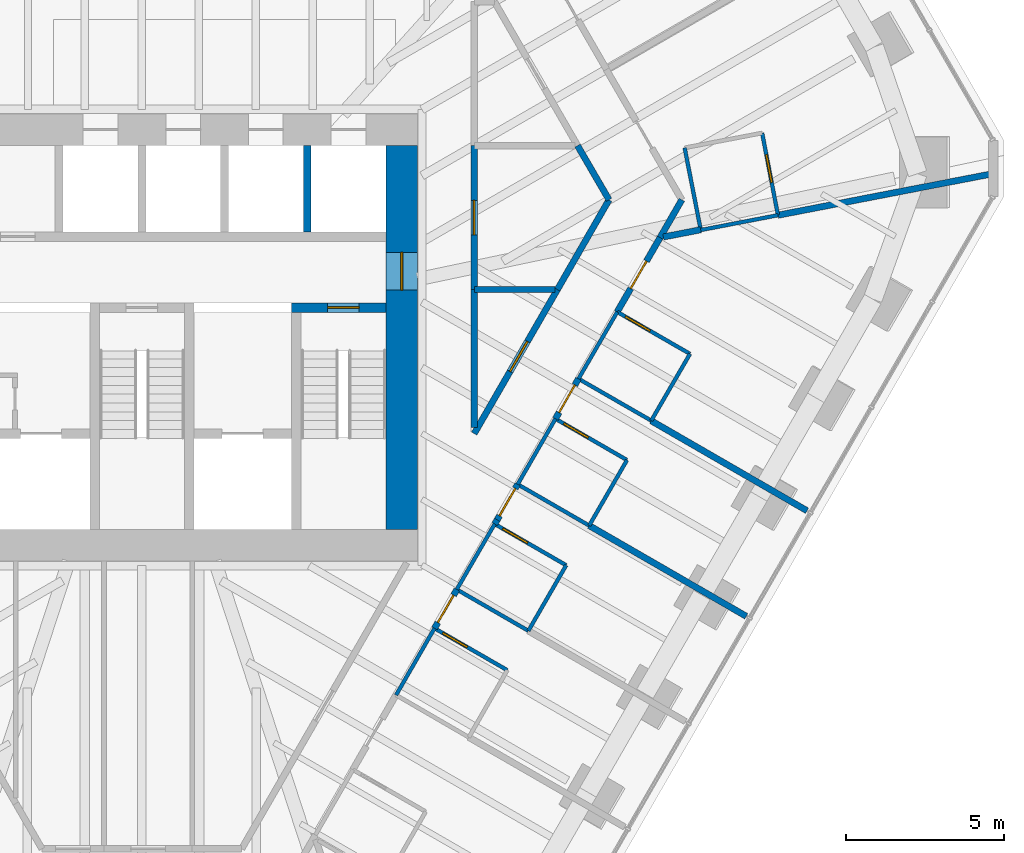
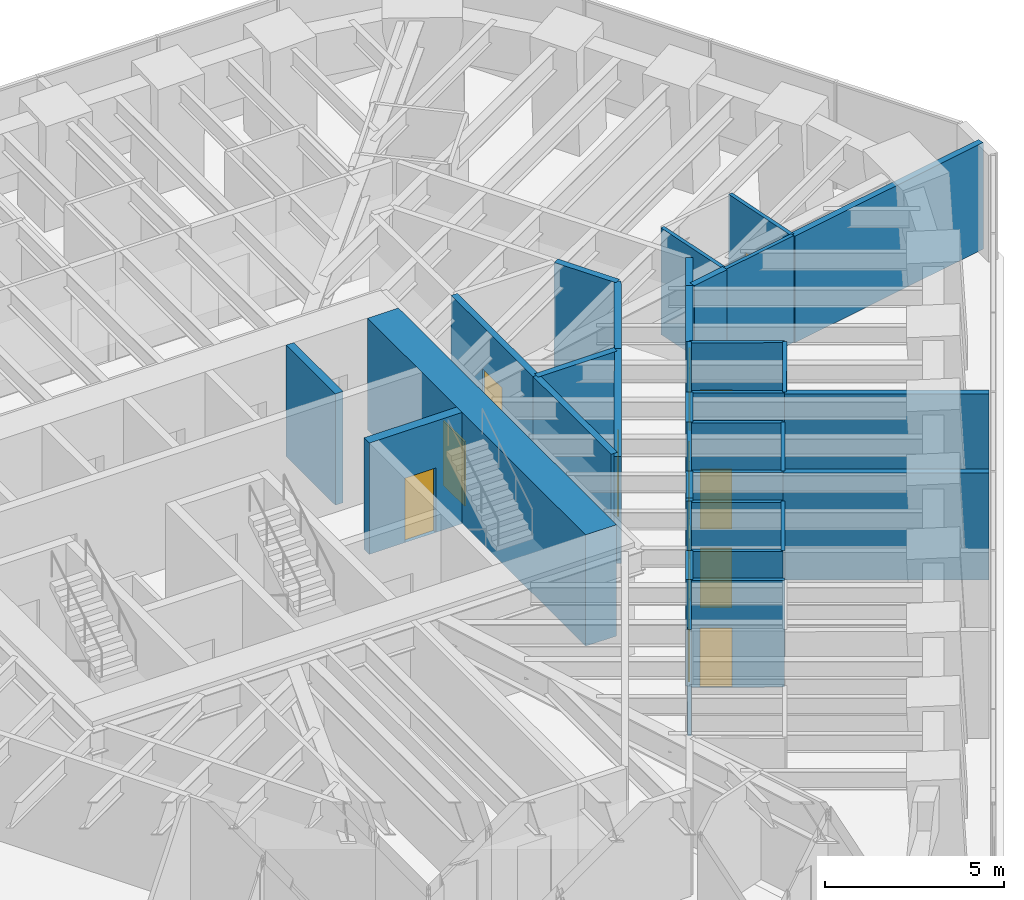
# One storey, part 13 of 17: 36 walls, 13 doors, 13 openings.
"""IFC4 building model written with IfcOpenShell, lengths in metres."""

from ifc_helpers import new_model, si_unit, direction, frame, frame_2d, origin, place, context, subcontext, project, spatial, rectangle, extrude, material, layer, layer_set, type_object, element, fill, save


model = new_model("IFC4")

# Units and contexts
model_context = context("Model", 3, precision=1e-05, world=origin(), true_north=direction((0.0, 1.0)))
body_context = subcontext(model_context, "Body", "Model", "MODEL_VIEW")
ifc_project = project(units=[si_unit("LENGTHUNIT", "METRE"), si_unit("AREAUNIT", "SQUARE_METRE"), si_unit("VOLUMEUNIT", "CUBIC_METRE"), si_unit("PLANEANGLEUNIT", "RADIAN"), si_unit("MASSUNIT", "GRAM", prefix="KILO")], contexts=[model_context])

# Site, building, storey
site_placement = place(None, origin())
site = spatial("IfcSite", under=ifc_project, at=site_placement, CompositionType="ELEMENT")
building_placement = place(site_placement, origin())
building = spatial("IfcBuilding", under=site, at=building_placement, Name="Sandreach Pilgrim Tower", CompositionType="ELEMENT")
storey_placement = place(building_placement, frame((0.0, 0.0, 236.39990234375)))
storey = spatial("IfcBuildingStorey", under=building, at=storey_placement, Name="L59", CompositionType="ELEMENT", Elevation=236.39990234375)

# Walls
ifc_material_1 = material(Name="Moisture-resistant gypsum board on steel studs", Category="steel")
ifc_layer_1 = layer(ifc_material_1, 0.1201171875)
ifc_layer_set_1 = layer_set([ifc_layer_1], Name="Bathroom partition 120")
wall_type_1 = type_object("IfcWallType", Name="Bathroom partition 120", PredefinedType="PARTITIONING", material=ifc_layer_set_1)
wall_1_placement = place(storey_placement, frame((8.070068359375, -11.35009765625, 0.0), z_axis=(0.0, 0.0, 1.0), x_axis=(0.498748634132, 0.866746675766, 0.0)))
element("IfcWall", 1, at=wall_1_placement, inside=storey, type_object=wall_type_1, Name="Bathroom partition L59-101", PredefinedType="PARTITIONING", context=body_context, shape_type="SweptSolid", body=[
    extrude(rectangle(XDim=2.446044921875, YDim=0.1201171875, at=frame_2d((1.22314453125, 0.0))), origin(), (0.0, 0.0, 1.0), 3.64013671875),
])
wall_2_placement = place(storey_placement, frame((9.996337890625, -7.998046875, 0.0), z_axis=(0.0, 0.0, 1.0), x_axis=(0.501188543314, 0.865338109672, 0.0)))
element("IfcWall", 2, at=wall_2_placement, inside=storey, type_object=wall_type_1, Name="Bathroom partition L59-108", PredefinedType="PARTITIONING", context=body_context, shape_type="SweptSolid", body=[
    extrude(rectangle(XDim=2.401611328125, YDim=0.1201171875, at=frame_2d((1.20068359375, 0.0))), origin(), (0.0, 0.0, 1.0), 3.64013671875),
])
wall_3_placement = place(storey_placement, frame((10.0, -8.0, 0.0), z_axis=(0.0, 0.0, 1.0), x_axis=(0.866010296064, -0.500026166427, 0.0)))
element("IfcWall", 3, at=wall_3_placement, inside=storey, type_object=wall_type_1, Name="Bathroom partition L59-109", PredefinedType="PARTITIONING", context=body_context, shape_type="SweptSolid", body=[
    extrude(rectangle(XDim=2.620849609375, YDim=0.1201171875, at=frame_2d((1.310546875, 0.0))), origin(), (0.0, 0.0, 1.0), 3.64013671875),
])

# Wall, opening, door
wall_4_placement = place(storey_placement, frame((11.60009765625, -10.56005859375, 0.0), z_axis=(0.0, 0.0, 1.0), x_axis=(-0.866615255992, 0.498976951453, 0.0)))
wall_4 = element("IfcWall", 4, at=wall_4_placement, inside=storey, type_object=wall_type_1, Name="Bathroom partition L59-125", PredefinedType="PARTITIONING", context=body_context, shape_type="SweptSolid", body=[
    extrude(rectangle(XDim=2.66552734375, YDim=0.1201171875, at=frame_2d((1.332763671875, 0.0))), origin(), (0.0, 0.0, 1.0), 3.64013671875),
])
opening_1_placement = place(wall_4_placement, frame((1.465576171875, 0.0, 0.0)))
opening_1 = element("IfcOpeningElement", 5, at=opening_1_placement, cuts=wall_4, Name="Opening D09-11B", PredefinedType="OPENING", context=body_context, shape_type="SweptSolid", body=[
    extrude(rectangle(XDim=0.89990234375, YDim=2.030029296875, at=frame_2d((0.449951171875, 1.01513671875))), frame((0.0, 0.06005859375, 0.0), z_axis=(0.0, -1.0, 0.0), x_axis=(1.0, 0.0, 0.0)), (0.0, 0.0, 1.0), 0.1201171875),
])
ifc_material_2 = material(Name="Timber door, steel frame", Category="steel")
door_type_1 = type_object("IfcDoorType", Name="Bathroom door", OperationType="SINGLE_SWING_LEFT", PredefinedType="DOOR", material=ifc_material_2)
door_1_placement = place(opening_1_placement, origin())
door_1 = element("IfcDoor", 6, at=door_1_placement, inside=storey, type_object=door_type_1, Name="Door 5911B", OperationType="SINGLE_SWING_RIGHT", OverallHeight=2.030029296875, OverallWidth=0.89990234375, PredefinedType="DOOR", context=body_context, shape_type="SweptSolid", body=[
    extrude(rectangle(XDim=0.89990234375, YDim=2.030029296875, at=frame_2d((0.449951171875, 1.01513671875))), frame((0.0, 0.02490234375, 0.0), z_axis=(0.0, -1.0, 0.0), x_axis=(1.0, 0.0, 0.0)), (0.0, 0.0, 1.0), 0.050048828125),
])
fill(opening_1, door_1)

# Walls
wall_5_placement = place(storey_placement, frame((11.929931640625, -4.659912109375, 0.0), z_axis=(0.0, 0.0, 1.0), x_axis=(0.499737123639, 0.866177122335, 0.0)))
element("IfcWall", 7, at=wall_5_placement, inside=storey, type_object=wall_type_1, Name="Bathroom partition L59-128", PredefinedType="PARTITIONING", context=body_context, shape_type="SweptSolid", body=[
    extrude(rectangle(XDim=2.401123046875, YDim=0.1201171875, at=frame_2d((1.20068359375, 0.0))), origin(), (0.0, 0.0, 1.0), 3.64013671875),
])
wall_6_placement = place(storey_placement, frame((11.929931640625, -4.659912109375, 0.0), z_axis=(0.0, 0.0, 1.0), x_axis=(0.865969958829, -0.500096021185, 0.0)))
element("IfcWall", 8, at=wall_6_placement, inside=storey, type_object=wall_type_1, Name="Bathroom partition L59-129", PredefinedType="PARTITIONING", context=body_context, shape_type="SweptSolid", body=[
    extrude(rectangle(XDim=2.62109375, YDim=0.1201171875, at=frame_2d((1.310546875, 0.0))), origin(), (0.0, 0.0, 1.0), 3.64013671875),
])
wall_7_placement = place(storey_placement, frame((12.27001953125, -9.31005859375, 0.0), z_axis=(0.0, 0.0, 1.0), x_axis=(0.499693115345, 0.866202511239, 0.0)))
element("IfcWall", 9, at=wall_7_placement, inside=storey, type_object=wall_type_1, Name="Bathroom partition L59-131", PredefinedType="PARTITIONING", context=body_context, shape_type="SweptSolid", body=[
    extrude(rectangle(XDim=2.4013671875, YDim=0.1201171875, at=frame_2d((1.20068359375, 0.0))), origin(), (0.0, 0.0, 1.0), 3.64013671875),
])

# Wall, opening, door
wall_8_placement = place(storey_placement, frame((13.469970703125, -7.22998046875, 0.0), z_axis=(0.0, 0.0, 1.0), x_axis=(-0.866114241029, 0.499846097802, 0.0)))
wall_8 = element("IfcWall", 10, at=wall_8_placement, inside=storey, type_object=wall_type_1, Name="Bathroom partition L59-136", PredefinedType="PARTITIONING", context=body_context, shape_type="SweptSolid", body=[
    extrude(rectangle(XDim=2.620849609375, YDim=0.1201171875, at=frame_2d((1.310546875, 0.0))), origin(), (0.0, 0.0, 1.0), 3.64013671875),
])
opening_2_placement = place(wall_8_placement, frame((1.4208984375, 0.0, 0.0)))
opening_2 = element("IfcOpeningElement", 11, at=opening_2_placement, cuts=wall_8, Name="Opening D09-10B", PredefinedType="OPENING", context=body_context, shape_type="SweptSolid", body=[
    extrude(rectangle(XDim=0.89990234375, YDim=2.030029296875, at=frame_2d((0.449951171875, 1.01513671875))), frame((0.0, 0.06005859375, 0.0), z_axis=(0.0, -1.0, 0.0), x_axis=(1.0, 0.0, 0.0)), (0.0, 0.0, 1.0), 0.1201171875),
])
door_2_placement = place(opening_2_placement, origin())
door_2 = element("IfcDoor", 12, at=door_2_placement, inside=storey, type_object=door_type_1, Name="Door 5910B", OperationType="SINGLE_SWING_RIGHT", OverallHeight=2.030029296875, OverallWidth=0.89990234375, PredefinedType="DOOR", context=body_context, shape_type="SweptSolid", body=[
    extrude(rectangle(XDim=0.89990234375, YDim=2.030029296875, at=frame_2d((0.449951171875, 1.01513671875))), frame((0.0, 0.02490234375, 0.0), z_axis=(0.0, -1.0, 0.0), x_axis=(1.0, 0.0, 0.0)), (0.0, 0.0, 1.0), 0.050048828125),
])
fill(opening_2, door_2)

# Walls
wall_9_placement = place(storey_placement, frame((13.860107421875, -1.31005859375, 0.0), z_axis=(0.0, 0.0, 1.0), x_axis=(0.501813488763, 0.864975850817, 0.0)))
element("IfcWall", 13, at=wall_9_placement, inside=storey, type_object=wall_type_1, Name="Bathroom partition L59-140", PredefinedType="PARTITIONING", context=body_context, shape_type="SweptSolid", body=[
    extrude(rectangle(XDim=2.451171875, YDim=0.1201171875, at=frame_2d((1.2255859375, 0.0))), origin(), (0.0, 0.0, 1.0), 3.64013671875),
])
wall_10_placement = place(storey_placement, frame((14.199951171875, -5.969970703125, 0.0), z_axis=(0.0, 0.0, 1.0), x_axis=(0.499737123639, 0.866177122335, 0.0)))
element("IfcWall", 14, at=wall_10_placement, inside=storey, type_object=wall_type_1, Name="Bathroom partition L59-142", PredefinedType="PARTITIONING", context=body_context, shape_type="SweptSolid", body=[
    extrude(rectangle(XDim=2.401123046875, YDim=0.1201171875, at=frame_2d((1.20068359375, 0.0))), origin(), (0.0, 0.0, 1.0), 3.64013671875),
])

# Wall, opening, door
wall_11_placement = place(storey_placement, frame((15.39990234375, -3.889892578125, 0.0), z_axis=(0.0, 0.0, 1.0), x_axis=(-0.866154567199, 0.49977621564, 0.0)))
wall_11 = element("IfcWall", 15, at=wall_11_placement, inside=storey, type_object=wall_type_1, Name="Bathroom partition L59-146", PredefinedType="PARTITIONING", context=body_context, shape_type="SweptSolid", body=[
    extrude(rectangle(XDim=2.620849609375, YDim=0.1201171875, at=frame_2d((1.310546875, 0.0))), origin(), (0.0, 0.0, 1.0), 3.64013671875),
])
opening_3_placement = place(wall_11_placement, frame((1.4208984375, 0.0, 0.0)))
opening_3 = element("IfcOpeningElement", 16, at=opening_3_placement, cuts=wall_11, Name="Opening D09-09B", PredefinedType="OPENING", context=body_context, shape_type="SweptSolid", body=[
    extrude(rectangle(XDim=0.89990234375, YDim=2.030029296875, at=frame_2d((0.449951171875, 1.01513671875))), frame((0.0, 0.06005859375, 0.0), z_axis=(0.0, -1.0, 0.0), x_axis=(1.0, 0.0, 0.0)), (0.0, 0.0, 1.0), 0.1201171875),
])
door_3_placement = place(opening_3_placement, origin())
door_3 = element("IfcDoor", 17, at=door_3_placement, inside=storey, type_object=door_type_1, Name="Door 5909B", OperationType="SINGLE_SWING_RIGHT", OverallHeight=2.030029296875, OverallWidth=0.89990234375, PredefinedType="DOOR", context=body_context, shape_type="SweptSolid", body=[
    extrude(rectangle(XDim=0.89990234375, YDim=2.030029296875, at=frame_2d((0.449951171875, 1.01513671875))), frame((0.0, 0.02490234375, 0.0), z_axis=(0.0, -1.0, 0.0), x_axis=(1.0, 0.0, 0.0)), (0.0, 0.0, 1.0), 0.050048828125),
])
fill(opening_3, door_3)

# Walls
wall_12_placement = place(storey_placement, frame((16.169921875, -2.639892578125, 0.0), z_axis=(0.0, 0.0, 1.0), x_axis=(-0.86663205897, 0.498947767172, 0.0)))
element("IfcWall", 18, at=wall_12_placement, inside=storey, type_object=wall_type_1, Name="Bathroom partition L59-148", PredefinedType="PARTITIONING", context=body_context, shape_type="SweptSolid", body=[
    extrude(rectangle(XDim=2.665283203125, YDim=0.1201171875, at=frame_2d((1.33251953125, 0.0))), origin(), (0.0, 0.0, 1.0), 3.64013671875),
])
wall_13_placement = place(storey_placement, frame((16.169921875, -2.639892578125, 0.0), z_axis=(0.0, 0.0, 1.0), x_axis=(0.501856726365, 0.86495076519, 0.0)))
element("IfcWall", 19, at=wall_13_placement, inside=storey, type_object=wall_type_1, Name="Bathroom partition L59-149", PredefinedType="PARTITIONING", context=body_context, shape_type="SweptSolid", body=[
    extrude(rectangle(XDim=2.450927734375, YDim=0.1201171875, at=frame_2d((1.2255859375, 0.0))), origin(), (0.0, 0.0, 1.0), 3.64013671875),
])
wall_14_placement = place(storey_placement, frame((17.22998046875, 6.02001953125, 0.0), z_axis=(0.0, 0.0, 1.0), x_axis=(0.192499717639, -0.981297028788, 0.0)))
element("IfcWall", 20, at=wall_14_placement, inside=storey, type_object=wall_type_1, Name="Bathroom partition L59-153", PredefinedType="PARTITIONING", context=body_context, shape_type="SweptSolid", body=[
    extrude(rectangle(XDim=2.6494140625, YDim=0.1201171875, at=frame_2d((1.32470703125, 0.0))), origin(), (0.0, 0.0, 1.0), 3.64013671875),
])

# Wall, opening, door
wall_15_placement = place(storey_placement, frame((17.39990234375, -0.52001953125, 0.0), z_axis=(0.0, 0.0, 1.0), x_axis=(-0.866592449628, 0.499016559092, 0.0)))
wall_15 = element("IfcWall", 21, at=wall_15_placement, inside=storey, type_object=wall_type_1, Name="Bathroom partition L59-154", PredefinedType="PARTITIONING", context=body_context, shape_type="SweptSolid", body=[
    extrude(rectangle(XDim=2.665283203125, YDim=0.1201171875, at=frame_2d((1.33251953125, 0.0))), origin(), (0.0, 0.0, 1.0), 3.64013671875),
])
opening_4_placement = place(wall_15_placement, frame((1.465576171875, 0.0, 0.0)))
opening_4 = element("IfcOpeningElement", 22, at=opening_4_placement, cuts=wall_15, Name="Opening D09-08B", PredefinedType="OPENING", context=body_context, shape_type="SweptSolid", body=[
    extrude(rectangle(XDim=0.89990234375, YDim=2.030029296875, at=frame_2d((0.449951171875, 1.01513671875))), frame((0.0, 0.06005859375, 0.0), z_axis=(0.0, -1.0, 0.0), x_axis=(1.0, 0.0, 0.0)), (0.0, 0.0, 1.0), 0.1201171875),
])
door_4_placement = place(opening_4_placement, origin())
door_4 = element("IfcDoor", 23, at=door_4_placement, inside=storey, type_object=door_type_1, Name="Door 5908B", OperationType="SINGLE_SWING_RIGHT", OverallHeight=2.030029296875, OverallWidth=0.89990234375, PredefinedType="DOOR", context=body_context, shape_type="SweptSolid", body=[
    extrude(rectangle(XDim=0.89990234375, YDim=2.030029296875, at=frame_2d((0.449951171875, 1.01513671875))), frame((0.0, 0.02490234375, 0.0), z_axis=(0.0, -1.0, 0.0), x_axis=(1.0, 0.0, 0.0)), (0.0, 0.0, 1.0), 0.050048828125),
])
fill(opening_4, door_4)

# Wall
wall_16_placement = place(storey_placement, frame((17.739990234375, 3.409912109375, 0.0), z_axis=(0.0, 0.0, 1.0), x_axis=(0.981991098912, 0.188927186128, 0.0)))
element("IfcWall", 24, at=wall_16_placement, inside=storey, type_object=wall_type_1, Name="Bathroom partition L59-155", PredefinedType="PARTITIONING", context=body_context, shape_type="SweptSolid", body=[
    extrude(rectangle(XDim=2.49658203125, YDim=0.1201171875, at=frame_2d((1.248291015625, 0.0))), origin(), (0.0, 0.0, 1.0), 3.64013671875),
])

# Wall, opening, door
wall_17_placement = place(storey_placement, frame((20.18994140625, 3.889892578125, 0.0), z_axis=(0.0, 0.0, 1.0), x_axis=(-0.188840553732, 0.982007762325, 0.0)))
wall_17 = element("IfcWall", 25, at=wall_17_placement, inside=storey, type_object=wall_type_1, Name="Bathroom partition L59-158", PredefinedType="PARTITIONING", context=body_context, shape_type="SweptSolid", body=[
    extrude(rectangle(XDim=2.647705078125, YDim=0.1201171875, at=frame_2d((1.32373046875, 0.0))), origin(), (0.0, 0.0, 1.0), 3.64013671875),
])
opening_5_placement = place(wall_17_placement, frame((1.050048828125, 0.0, 0.0)))
opening_5 = element("IfcOpeningElement", 26, at=opening_5_placement, cuts=wall_17, Name="Opening D09-07B", PredefinedType="OPENING", context=body_context, shape_type="SweptSolid", body=[
    extrude(rectangle(XDim=0.89990234375, YDim=2.030029296875, at=frame_2d((0.449951171875, 1.01513671875))), frame((0.0, 0.06005859375, 0.0), z_axis=(0.0, -1.0, 0.0), x_axis=(1.0, 0.0, 0.0)), (0.0, 0.0, 1.0), 0.1201171875),
])
door_5_placement = place(opening_5_placement, origin())
door_5 = element("IfcDoor", 27, at=door_5_placement, inside=storey, type_object=door_type_1, Name="Door 5907B", OperationType="SINGLE_SWING_RIGHT", OverallHeight=2.030029296875, OverallWidth=0.89990234375, PredefinedType="DOOR", context=body_context, shape_type="SweptSolid", body=[
    extrude(rectangle(XDim=0.89990234375, YDim=2.030029296875, at=frame_2d((0.449951171875, 1.01513671875))), frame((0.0, 0.02490234375, 0.0), z_axis=(0.0, -1.0, 0.0), x_axis=(1.0, 0.0, 0.0)), (0.0, 0.0, 1.0), 0.050048828125),
])
fill(opening_5, door_5)

ifc_material_3 = material(Name="Concrete 10000 psi", Category="concrete")
ifc_layer_2 = layer(ifc_material_3, 0.300048828125)
ifc_layer_set_2 = layer_set([ifc_layer_2], Name="Core inner wall 300")
wall_type_2 = type_object("IfcWallType", Name="Core inner wall 300", PredefinedType="SHEAR", material=ifc_layer_set_2)
wall_18_placement = place(storey_placement, frame((4.75, 0.949951171875, 0.0), z_axis=(0.0, 0.0, 1.0), x_axis=(1.0, 0.0, 0.0)))
wall_18 = element("IfcWall", 28, at=wall_18_placement, inside=storey, type_object=wall_type_2, Name="Core wall SN2 L59", PredefinedType="SHEAR", context=body_context, shape_type="SweptSolid", body=[
    extrude(rectangle(XDim=3.0, YDim=0.300048828125, at=frame_2d((1.5, 0.0))), origin(), (0.0, 0.0, 1.0), 3.800048828125),
])
opening_6_placement = place(wall_18_placement, frame((1.14990234375, 0.0, 0.0)))
opening_6 = element("IfcOpeningElement", 29, at=opening_6_placement, cuts=wall_18, Name="Opening D10S-ST2", PredefinedType="OPENING", context=body_context, shape_type="SweptSolid", body=[
    extrude(rectangle(XDim=1.0, YDim=2.199951171875, at=frame_2d((0.5, 1.10009765625))), frame((0.0, 0.14990234375, 0.0), z_axis=(0.0, -1.0, 0.0), x_axis=(1.0, 0.0, 0.0)), (0.0, 0.0, 1.0), 0.300048828125),
])
ifc_material_4 = material(Name="Steel door and frame", Category="steel")
door_type_2 = type_object("IfcDoorType", Name="Stair door", OperationType="SINGLE_SWING_LEFT", PredefinedType="DOOR", material=ifc_material_4)
door_6_placement = place(opening_6_placement, origin())
door_6 = element("IfcDoor", 30, at=door_6_placement, inside=storey, type_object=door_type_2, Name="Stair door ST2 L59", OperationType="SINGLE_SWING_RIGHT", OverallHeight=2.199951171875, OverallWidth=1.0, PredefinedType="DOOR", context=body_context, shape_type="SweptSolid", body=[
    extrude(rectangle(XDim=1.0, YDim=2.199951171875, at=frame_2d((0.5, 1.10009765625))), frame((0.0, 0.02490234375, 0.0), z_axis=(0.0, -1.0, 0.0), x_axis=(1.0, 0.0, 0.0)), (0.0, 0.0, 1.0), 0.050048828125),
])
fill(opening_6, door_6)

ifc_material_5 = material(Name="Concrete 10000 psi", Category="concrete")
ifc_layer_3 = layer(ifc_material_5, 1.0)
ifc_layer_set_3 = layer_set([ifc_layer_3], Name="Core wall 1000")
wall_type_3 = type_object("IfcWallType", Name="Core wall 1000", PredefinedType="SHEAR", material=ifc_layer_set_3)
wall_19_placement = place(storey_placement, frame((8.25, -6.10009765625, 0.0), z_axis=(0.0, 0.0, 1.0), x_axis=(0.0, 1.0, 0.0)))
wall_19 = element("IfcWall", 31, at=wall_19_placement, inside=storey, type_object=wall_type_3, Name="Core wall E L59", PredefinedType="SHEAR", context=body_context, shape_type="SweptSolid", body=[
    extrude(rectangle(XDim=12.2001953125, YDim=1.0, at=frame_2d((6.10009765625, 0.0))), origin(), (0.0, 0.0, 1.0), 3.800048828125),
])
opening_7_placement = place(wall_19_placement, frame((7.60009765625, 0.0, 0.0)))
opening_7 = element("IfcOpeningElement", 32, at=opening_7_placement, cuts=wall_19, Name="Opening D12F-E", PredefinedType="OPENING", context=body_context, shape_type="SweptSolid", body=[
    extrude(rectangle(XDim=1.199951171875, YDim=2.199951171875, at=frame_2d((0.60009765625, 1.10009765625))), frame((0.0, 0.5, 0.0), z_axis=(0.0, -1.0, 0.0), x_axis=(1.0, 0.0, 0.0)), (0.0, 0.0, 1.0), 1.0),
])
ifc_material_6 = material(Name="Steel door and frame", Category="steel")
door_type_3 = type_object("IfcDoorType", Name="Fire lobby door", OperationType="SINGLE_SWING_LEFT", PredefinedType="DOOR", material=ifc_material_6)
door_7_placement = place(opening_7_placement, origin())
door_7 = element("IfcDoor", 33, at=door_7_placement, inside=storey, type_object=door_type_3, Name="Fire service lobby door E L59", OperationType="SINGLE_SWING_RIGHT", OverallHeight=2.199951171875, OverallWidth=1.199951171875, PredefinedType="DOOR", context=body_context, shape_type="SweptSolid", body=[
    extrude(rectangle(XDim=1.199951171875, YDim=2.199951171875, at=frame_2d((0.60009765625, 1.10009765625))), frame((0.0, 0.02490234375, 0.0), z_axis=(0.0, -1.0, 0.0), x_axis=(1.0, 0.0, 0.0)), (0.0, 0.0, 1.0), 0.050048828125),
])
fill(opening_7, door_7)

ifc_material_7 = material(Name="Gypsum board on steel studs, two layers each side", Category="steel")
ifc_layer_4 = layer(ifc_material_7, 0.199951171875)
ifc_layer_set_4 = layer_set([ifc_layer_4], Name="Corridor wall 200")
wall_type_4 = type_object("IfcWallType", Name="Corridor wall 200", PredefinedType="PARTITIONING", material=ifc_layer_set_4)
wall_20_placement = place(storey_placement, frame((9.2900390625, -9.22998046875, 0.0), z_axis=(0.0, 0.0, 1.0), x_axis=(0.499910949922, 0.866076810767, 0.0)))
wall_20 = element("IfcWall", 34, at=wall_20_placement, inside=storey, type_object=wall_type_4, Name="Corridor wall L59-107", PredefinedType="PARTITIONING", context=body_context, shape_type="SweptSolid", body=[
    extrude(rectangle(XDim=1.420166015625, YDim=0.199951171875, at=frame_2d((0.7099609375, 0.0))), origin(), (0.0, 0.0, 1.0), 3.64013671875),
])
opening_8_placement = place(wall_20_placement, frame((0.210205078125, 0.0, 0.0)))
opening_8 = element("IfcOpeningElement", 35, at=opening_8_placement, cuts=wall_20, Name="Opening D10-11", PredefinedType="OPENING", context=body_context, shape_type="SweptSolid", body=[
    extrude(rectangle(XDim=1.0, YDim=2.1298828125, at=frame_2d((0.5, 1.06494140625))), frame((0.0, 0.10009765625, 0.0), z_axis=(0.0, -1.0, 0.0), x_axis=(1.0, 0.0, 0.0)), (0.0, 0.0, 1.0), 0.199951171875),
])
ifc_material_8 = material(Name="Steel door and frame", Category="steel")
door_type_4 = type_object("IfcDoorType", Name="Guest room entry door", OperationType="SINGLE_SWING_LEFT", PredefinedType="DOOR", material=ifc_material_8)
door_8_placement = place(opening_8_placement, origin())
door_8 = element("IfcDoor", 36, at=door_8_placement, inside=storey, type_object=door_type_4, Name="Door 5911", OperationType="SINGLE_SWING_LEFT", OverallHeight=2.1298828125, OverallWidth=1.0, PredefinedType="DOOR", context=body_context, shape_type="SweptSolid", body=[
    extrude(rectangle(XDim=1.0, YDim=2.1298828125, at=frame_2d((0.5, 1.06494140625))), frame((0.0, 0.02490234375, 0.0), z_axis=(0.0, -1.0, 0.0), x_axis=(1.0, 0.0, 0.0)), (0.0, 0.0, 1.0), 0.050048828125),
])
fill(opening_8, door_8)

# Wall
wall_21_placement = place(storey_placement, frame((10.550048828125, -2.85498046875, 0.0), z_axis=(0.0, 0.0, 1.0), x_axis=(0.0, 1.0, 0.0)))
element("IfcWall", 37, at=wall_21_placement, inside=storey, type_object=wall_type_4, Name="Corridor wall L59-112", PredefinedType="PARTITIONING", context=body_context, shape_type="SweptSolid", body=[
    extrude(rectangle(XDim=4.375, YDim=0.199951171875, at=frame_2d((2.1875, 0.0))), origin(), (0.0, 0.0, 1.0), 3.64013671875),
])

# Wall, opening, door
wall_22_placement = place(storey_placement, frame((10.550048828125, 1.52001953125, 0.0), z_axis=(0.0, 0.0, 1.0), x_axis=(0.0, 1.0, 0.0)))
wall_22 = element("IfcWall", 38, at=wall_22_placement, inside=storey, type_object=wall_type_4, Name="Corridor wall L59-113", PredefinedType="PARTITIONING", context=body_context, shape_type="SweptSolid", body=[
    extrude(rectangle(XDim=4.570068359375, YDim=0.199951171875, at=frame_2d((2.28515625, 0.0))), origin(), (0.0, 0.0, 1.0), 3.64013671875),
])
opening_9_placement = place(wall_22_placement, frame((1.735107421875, 0.0, 0.0)))
opening_9 = element("IfcOpeningElement", 39, at=opening_9_placement, cuts=wall_22, Name="Opening D11H-M06", PredefinedType="OPENING", context=body_context, shape_type="SweptSolid", body=[
    extrude(rectangle(XDim=1.10009765625, YDim=2.199951171875, at=frame_2d((0.550048828125, 1.10009765625))), frame((0.0, 0.10009765625, 0.0), z_axis=(0.0, -1.0, 0.0), x_axis=(1.0, 0.0, 0.0)), (0.0, 0.0, 1.0), 0.199951171875),
])
ifc_material_9 = material(Name="Steel door and frame", Category="steel")
door_type_5 = type_object("IfcDoorType", Name="Back of house door", OperationType="SINGLE_SWING_LEFT", PredefinedType="DOOR", material=ifc_material_9)
door_9_placement = place(opening_9_placement, origin())
door_9 = element("IfcDoor", 40, at=door_9_placement, inside=storey, type_object=door_type_5, Name="Door 59M06", OperationType="SINGLE_SWING_LEFT", OverallHeight=2.199951171875, OverallWidth=1.10009765625, PredefinedType="DOOR", context=body_context, shape_type="SweptSolid", body=[
    extrude(rectangle(XDim=1.10009765625, YDim=2.199951171875, at=frame_2d((0.550048828125, 1.10009765625))), frame((0.0, 0.02490234375, 0.0), z_axis=(0.0, -1.0, 0.0), x_axis=(1.0, 0.0, 0.0)), (0.0, 0.0, 1.0), 0.050048828125),
])
fill(opening_9, door_9)

# Wall
wall_23_placement = place(storey_placement, frame((11.199951171875, -5.919921875, 0.0), z_axis=(0.0, 0.0, 1.0), x_axis=(0.524811420021, 0.851218522717, 0.0)))
element("IfcWall", 41, at=wall_23_placement, inside=storey, type_object=wall_type_4, Name="Corridor wall L59-123", PredefinedType="PARTITIONING", context=body_context, shape_type="SweptSolid", body=[
    extrude(rectangle(XDim=0.152587890625, YDim=0.199951171875, at=frame_2d((0.076171875, 0.0))), origin(), (0.0, 0.0, 1.0), 3.64013671875),
])

# Wall, opening, door
wall_24_placement = place(storey_placement, frame((11.280029296875, -5.7900390625, 0.0), z_axis=(0.0, 0.0, 1.0), x_axis=(0.498516863914, 0.866880001149, 0.0)))
wall_24 = element("IfcWall", 42, at=wall_24_placement, inside=storey, type_object=wall_type_4, Name="Corridor wall L59-124", PredefinedType="PARTITIONING", context=body_context, shape_type="SweptSolid", body=[
    extrude(rectangle(XDim=1.3037109375, YDim=0.199951171875, at=frame_2d((0.65185546875, 0.0))), origin(), (0.0, 0.0, 1.0), 3.64013671875),
])
opening_10_placement = place(wall_24_placement, frame((0.15185546875, 0.0, 0.0)))
opening_10 = element("IfcOpeningElement", 43, at=opening_10_placement, cuts=wall_24, Name="Opening D10-10", PredefinedType="OPENING", context=body_context, shape_type="SweptSolid", body=[
    extrude(rectangle(XDim=1.0, YDim=2.1298828125, at=frame_2d((0.5, 1.06494140625))), frame((0.0, 0.10009765625, 0.0), z_axis=(0.0, -1.0, 0.0), x_axis=(1.0, 0.0, 0.0)), (0.0, 0.0, 1.0), 0.199951171875),
])
door_10_placement = place(opening_10_placement, origin())
door_10 = element("IfcDoor", 44, at=door_10_placement, inside=storey, type_object=door_type_4, Name="Door 5910", OperationType="SINGLE_SWING_LEFT", OverallHeight=2.1298828125, OverallWidth=1.0, PredefinedType="DOOR", context=body_context, shape_type="SweptSolid", body=[
    extrude(rectangle(XDim=1.0, YDim=2.1298828125, at=frame_2d((0.5, 1.06494140625))), frame((0.0, 0.02490234375, 0.0), z_axis=(0.0, -1.0, 0.0), x_axis=(1.0, 0.0, 0.0)), (0.0, 0.0, 1.0), 0.050048828125),
])
fill(opening_10, door_10)

wall_25_placement = place(storey_placement, frame((13.129638671875, -2.579833984375, 0.0), z_axis=(0.0, 0.0, 1.0), x_axis=(0.498649595136, 0.866803657855, 0.0)))
wall_25 = element("IfcWall", 45, at=wall_25_placement, inside=storey, type_object=wall_type_4, Name="Corridor wall L59-134", PredefinedType="PARTITIONING", context=body_context, shape_type="SweptSolid", body=[
    extrude(rectangle(XDim=1.46484375, YDim=0.199951171875, at=frame_2d((0.732421875, 0.0))), origin(), (0.0, 0.0, 1.0), 3.64013671875),
])
opening_11_placement = place(wall_25_placement, frame((0.232421875, 0.0, 0.0)))
opening_11 = element("IfcOpeningElement", 46, at=opening_11_placement, cuts=wall_25, Name="Opening D10-09", PredefinedType="OPENING", context=body_context, shape_type="SweptSolid", body=[
    extrude(rectangle(XDim=1.0, YDim=2.1298828125, at=frame_2d((0.5, 1.06494140625))), frame((0.0, 0.10009765625, 0.0), z_axis=(0.0, -1.0, 0.0), x_axis=(1.0, 0.0, 0.0)), (0.0, 0.0, 1.0), 0.199951171875),
])
door_11_placement = place(opening_11_placement, origin())
door_11 = element("IfcDoor", 47, at=door_11_placement, inside=storey, type_object=door_type_4, Name="Door 5909", OperationType="SINGLE_SWING_LEFT", OverallHeight=2.1298828125, OverallWidth=1.0, PredefinedType="DOOR", context=body_context, shape_type="SweptSolid", body=[
    extrude(rectangle(XDim=1.0, YDim=2.1298828125, at=frame_2d((0.5, 1.06494140625))), frame((0.0, 0.02490234375, 0.0), z_axis=(0.0, -1.0, 0.0), x_axis=(1.0, 0.0, 0.0)), (0.0, 0.0, 1.0), 0.050048828125),
])
fill(opening_11, door_11)

wall_26_placement = place(storey_placement, frame((13.18994140625, 1.52001953125, 0.0), z_axis=(0.0, 0.0, 1.0), x_axis=(-0.500193590286, -0.865913605527, 0.0)))
wall_26 = element("IfcWall", 48, at=wall_26_placement, inside=storey, type_object=wall_type_4, Name="Corridor wall L59-135", PredefinedType="PARTITIONING", context=body_context, shape_type="SweptSolid", body=[
    extrude(rectangle(XDim=5.27783203125, YDim=0.199951171875, at=frame_2d((2.638916015625, 0.0))), origin(), (0.0, 0.0, 1.0), 3.64013671875),
])
opening_12_placement = place(wall_26_placement, frame((1.89990234375, 0.0, 0.0)))
opening_12 = element("IfcOpeningElement", 49, at=opening_12_placement, cuts=wall_26, Name="Opening D11H-M04", PredefinedType="OPENING", context=body_context, shape_type="SweptSolid", body=[
    extrude(rectangle(XDim=1.10009765625, YDim=2.199951171875, at=frame_2d((0.550048828125, 1.10009765625))), frame((0.0, 0.10009765625, 0.0), z_axis=(0.0, -1.0, 0.0), x_axis=(1.0, 0.0, 0.0)), (0.0, 0.0, 1.0), 0.199951171875),
])
door_12_placement = place(opening_12_placement, origin())
door_12 = element("IfcDoor", 50, at=door_12_placement, inside=storey, type_object=door_type_5, Name="Door 59M04", OperationType="SINGLE_SWING_LEFT", OverallHeight=2.199951171875, OverallWidth=1.10009765625, PredefinedType="DOOR", context=body_context, shape_type="SweptSolid", body=[
    extrude(rectangle(XDim=1.10009765625, YDim=2.199951171875, at=frame_2d((0.550048828125, 1.10009765625))), frame((0.0, 0.02490234375, 0.0), z_axis=(0.0, -1.0, 0.0), x_axis=(1.0, 0.0, 0.0)), (0.0, 0.0, 1.0), 0.050048828125),
])
fill(opening_12, door_12)

# Walls
wall_27_placement = place(storey_placement, frame((13.830078125, 6.090087890625, 0.0), z_axis=(0.0, 0.0, 1.0), x_axis=(0.502573539539, -0.864534462792, 0.0)))
element("IfcWall", 51, at=wall_27_placement, inside=storey, type_object=wall_type_4, Name="Corridor wall L59-139", PredefinedType="PARTITIONING", context=body_context, shape_type="SweptSolid", body=[
    extrude(rectangle(XDim=1.98974609375, YDim=0.199951171875, at=frame_2d((0.994873046875, 0.0))), origin(), (0.0, 0.0, 1.0), 3.64013671875),
])
wall_28_placement = place(storey_placement, frame((14.830078125, 4.3701171875, 0.0), z_axis=(0.0, 0.0, 1.0), x_axis=(-0.498775186059, -0.866731396554, 0.0)))
element("IfcWall", 52, at=wall_28_placement, inside=storey, type_object=wall_type_4, Name="Corridor wall L59-143", PredefinedType="PARTITIONING", context=body_context, shape_type="SweptSolid", body=[
    extrude(rectangle(XDim=3.288330078125, YDim=0.199951171875, at=frame_2d((1.64404296875, 0.0))), origin(), (0.0, 0.0, 1.0), 3.64013671875),
])

# Wall, opening, door
wall_29_placement = place(storey_placement, frame((15.087646484375, 0.811279296875, 0.0), z_axis=(0.0, 0.0, 1.0), x_axis=(0.500149166734, 0.8659392652, 0.0)))
wall_29 = element("IfcWall", 53, at=wall_29_placement, inside=storey, type_object=wall_type_4, Name="Corridor wall L59-144", PredefinedType="PARTITIONING", context=body_context, shape_type="SweptSolid", body=[
    extrude(rectangle(XDim=2.723876953125, YDim=0.199951171875, at=frame_2d((1.36181640625, 0.0))), origin(), (0.0, 0.0, 1.0), 3.64013671875),
])
opening_13_placement = place(wall_29_placement, frame((0.86181640625, 0.0, 0.0)))
opening_13 = element("IfcOpeningElement", 54, at=opening_13_placement, cuts=wall_29, Name="Opening D10-08", PredefinedType="OPENING", context=body_context, shape_type="SweptSolid", body=[
    extrude(rectangle(XDim=1.0, YDim=2.1298828125, at=frame_2d((0.5, 1.06494140625))), frame((0.0, 0.10009765625, 0.0), z_axis=(0.0, -1.0, 0.0), x_axis=(1.0, 0.0, 0.0)), (0.0, 0.0, 1.0), 0.199951171875),
])
door_13_placement = place(opening_13_placement, origin())
door_13 = element("IfcDoor", 55, at=door_13_placement, inside=storey, type_object=door_type_4, Name="Door 5908", OperationType="SINGLE_SWING_LEFT", OverallHeight=2.1298828125, OverallWidth=1.0, PredefinedType="DOOR", context=body_context, shape_type="SweptSolid", body=[
    extrude(rectangle(XDim=1.0, YDim=2.1298828125, at=frame_2d((0.5, 1.06494140625))), frame((0.0, 0.02490234375, 0.0), z_axis=(0.0, -1.0, 0.0), x_axis=(1.0, 0.0, 0.0)), (0.0, 0.0, 1.0), 0.050048828125),
])
fill(opening_13, door_13)

# Walls
wall_30_placement = place(storey_placement, frame((16.449951171875, 3.169921875, 0.0), z_axis=(0.0, 0.0, 1.0), x_axis=(0.49845455473, 0.866915830325, 0.0)))
element("IfcWall", 56, at=wall_30_placement, inside=storey, type_object=wall_type_4, Name="Corridor wall L59-150", PredefinedType="PARTITIONING", context=body_context, shape_type="SweptSolid", body=[
    extrude(rectangle(XDim=1.38427734375, YDim=0.199951171875, at=frame_2d((0.692138671875, 0.0))), origin(), (0.0, 0.0, 1.0), 3.64013671875),
])
ifc_material_10 = material(Name="Double steel stud acoustic wall, gypsum board", Category="steel")
ifc_layer_5 = layer(ifc_material_10, 0.199951171875)
ifc_layer_set_5 = layer_set([ifc_layer_5], Name="Party wall 200")
wall_type_5 = type_object("IfcWallType", Name="Party wall 200", PredefinedType="PARTITIONING", material=ifc_layer_set_5)
wall_31_placement = place(storey_placement, frame((10.56005859375, 1.52001953125, 0.0), z_axis=(0.0, 0.0, 1.0), x_axis=(1.0, 0.0, 0.0)))
element("IfcWall", 57, at=wall_31_placement, inside=storey, type_object=wall_type_5, Name="Party wall L59-115", PredefinedType="PARTITIONING", context=body_context, shape_type="SweptSolid", body=[
    extrude(rectangle(XDim=2.550048828125, YDim=0.199951171875, at=frame_2d((1.27490234375, 0.0))), origin(), (0.0, 0.0, 1.0), 3.64013671875),
])
wall_32_placement = place(storey_placement, frame((14.19970703125, -5.970703125, 0.0), z_axis=(0.0, 0.0, 1.0), x_axis=(0.86600340545, -0.500038100297, 0.0)))
element("IfcWall", 58, at=wall_32_placement, inside=storey, type_object=wall_type_5, Name="Party wall L59-141", PredefinedType="PARTITIONING", context=body_context, shape_type="SweptSolid", body=[
    extrude(rectangle(XDim=5.7578125, YDim=0.199951171875, at=frame_2d((2.87890625, 0.0))), origin(), (0.0, 0.0, 1.0), 3.64013671875),
])
wall_33_placement = place(storey_placement, frame((16.168212890625, -2.642822265625, 0.0), z_axis=(0.0, 0.0, 1.0), x_axis=(0.865980633471, -0.500077536441, 0.0)))
element("IfcWall", 59, at=wall_33_placement, inside=storey, type_object=wall_type_5, Name="Party wall L59-147", PredefinedType="PARTITIONING", context=body_context, shape_type="SweptSolid", body=[
    extrude(rectangle(XDim=5.71337890625, YDim=0.199951171875, at=frame_2d((2.856689453125, 0.0))), origin(), (0.0, 0.0, 1.0), 3.64013671875),
])
wall_34_placement = place(storey_placement, frame((16.552978515625, 3.18994140625, 0.0), z_axis=(0.0, 0.0, 1.0), x_axis=(0.981743377248, 0.19021025532, 0.0)))
element("IfcWall", 60, at=wall_34_placement, inside=storey, type_object=wall_type_5, Name="Party wall L59-151", PredefinedType="PARTITIONING", context=body_context, shape_type="SweptSolid", body=[
    extrude(rectangle(XDim=1.208984375, YDim=0.199951171875, at=frame_2d((0.6044921875, 0.0))), origin(), (0.0, 0.0, 1.0), 3.64013671875),
])
wall_35_placement = place(storey_placement, frame((20.191650390625, 3.881591796875, 0.0), z_axis=(0.0, 0.0, 1.0), x_axis=(0.981855599951, 0.189630115871, 0.0)))
element("IfcWall", 61, at=wall_35_placement, inside=storey, type_object=wall_type_5, Name="Party wall L59-159", PredefinedType="PARTITIONING", context=body_context, shape_type="SweptSolid", body=[
    extrude(rectangle(XDim=6.975341796875, YDim=0.199951171875, at=frame_2d((3.48779296875, 0.0))), origin(), (0.0, 0.0, 1.0), 3.64013671875),
])
ifc_material_11 = material(Name="Gypsum shaft wall on steel studs, two layers of shaft liner board", Category="steel")
ifc_layer_6 = layer(ifc_material_11, 0.25)
ifc_layer_set_6 = layer_set([ifc_layer_6], Name="Shaft partition 250")
wall_type_6 = type_object("IfcWallType", Name="Shaft partition 250", PredefinedType="PARTITIONING", material=ifc_layer_set_6)
wall_36_placement = place(storey_placement, frame((5.25, 3.35009765625, 0.0), z_axis=(0.0, 0.0, 1.0), x_axis=(0.0, 1.0, 0.0)))
element("IfcWall", 62, at=wall_36_placement, inside=storey, type_object=wall_type_6, Name="Shaft partition NS4 L59", PredefinedType="PARTITIONING", context=body_context, shape_type="SweptSolid", body=[
    extrude(rectangle(XDim=2.75, YDim=0.25, at=frame_2d((1.375, 0.0))), origin(), (0.0, 0.0, 1.0), 3.800048828125),
])

save(model, "model.ifc")
